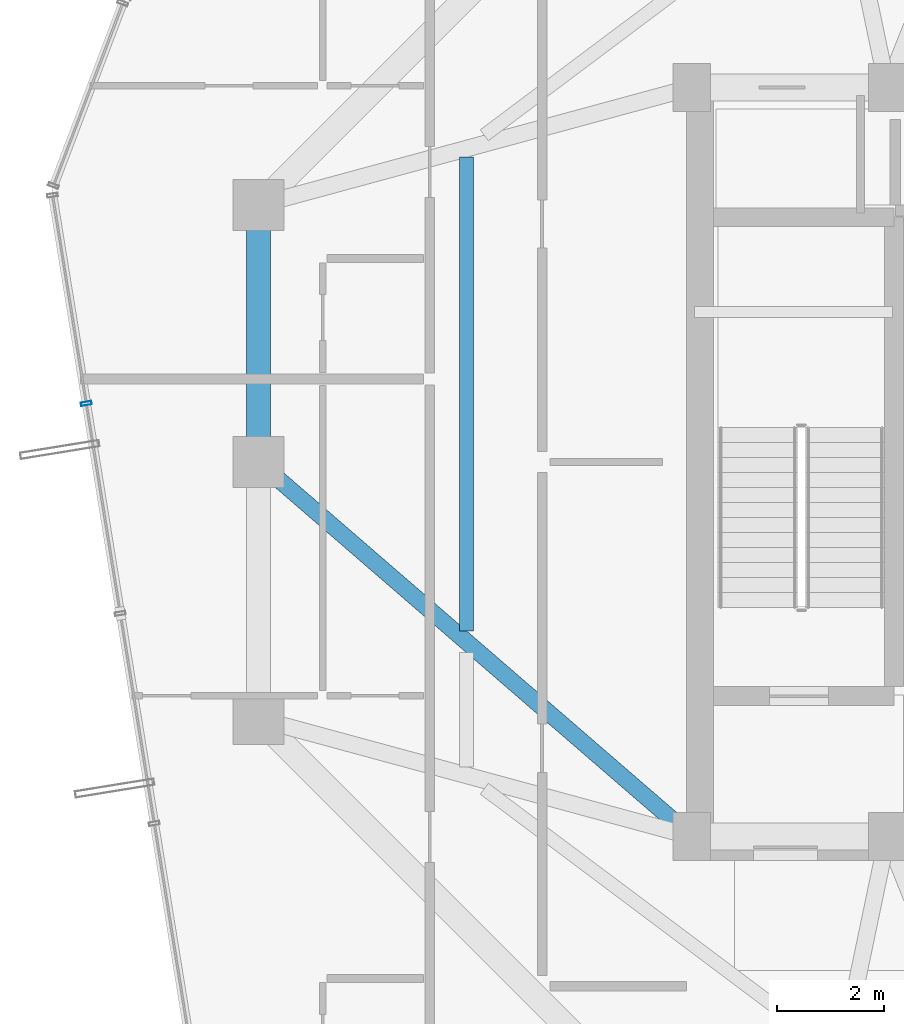
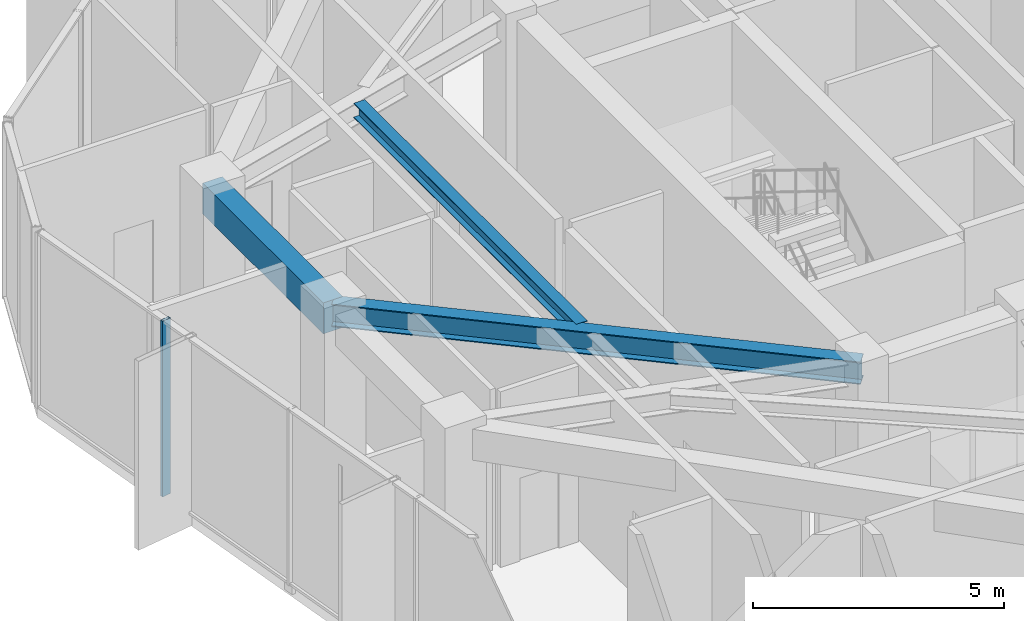
# One storey, part 8 of 22: 3 beams, 1 member, 1 element without a shape of its own.
"""IFC4 building model written with IfcOpenShell, lengths in metres."""

from ifc_helpers import new_model, si_unit, direction, frame, origin, origin_2d, place, context, subcontext, project, spatial, rectangle, hollow_rectangle, i_section, extrude, source, transform, mapped, material, layer, layer_set, material_profile, profile_set, type_object, element, aggregate, save


model = new_model("IFC4")

# Units and contexts
model_context = context("Model", 3, precision=1e-05, world=origin(), true_north=direction((0.0, 1.0)))
body_context = subcontext(model_context, "Body", "Model", "MODEL_VIEW")
ifc_project = project(units=[si_unit("LENGTHUNIT", "METRE"), si_unit("AREAUNIT", "SQUARE_METRE"), si_unit("VOLUMEUNIT", "CUBIC_METRE"), si_unit("PLANEANGLEUNIT", "RADIAN"), si_unit("MASSUNIT", "GRAM", prefix="KILO")], contexts=[model_context])

# Site, building, storey
site_placement = place(None, origin())
site = spatial("IfcSite", under=ifc_project, at=site_placement, CompositionType="ELEMENT")
building_placement = place(site_placement, origin())
building = spatial("IfcBuilding", under=site, at=building_placement, Name="Veraguas Prism Commons", CompositionType="ELEMENT")
storey_placement = place(building_placement, frame((0.0, 0.0, 174.35009765625)))
storey = spatial("IfcBuildingStorey", under=building, at=storey_placement, Name="L49", CompositionType="ELEMENT", Elevation=174.35009765625)

# Beams
ifc_material_1 = material(Name="Concrete C50/60", Category="concrete")
ifc_material_profile_1 = material_profile(ifc_material_1, rectangle(XDim=0.449951171875, YDim=0.75, at=origin_2d()), Name="RC450X750")
ifc_profile_set_1 = profile_set([ifc_material_profile_1], Name="Concrete C50/60")
beam_type_1 = type_object("IfcBeamType", Name="Perimeter Spandrel Upper RC 450x750", PredefinedType="SPANDREL", material=ifc_profile_set_1)
beam_1_placement = place(storey_placement, frame((9.10009765625, 28.800048828125, 3.889892578125), z_axis=(0.0, -1.0, 0.0), x_axis=(1.0, 0.0, 0.0)))
element("IfcBeam", 1, at=beam_1_placement, inside=storey, type_object=beam_type_1, Name="Perimeter Spandrel Beam L49-SP07", PredefinedType="SPANDREL", context=body_context, shape_type="SweptSolid", body=[
    extrude(rectangle(XDim=0.449951171875, YDim=0.75, at=origin_2d()), origin(), (0.0, 0.0, 1.0), 4.800048828125),
])
ifc_material_2 = material(Name="Steel ASTM A992 Grade 50", Category="steel")
ifc_material_profile_2 = material_profile(ifc_material_2, i_section(OverallWidth=0.25390625, OverallDepth=0.35302734375, WebThickness=0.009521484375, FlangeThickness=0.016357421875, at=origin_2d()), Name="W360X91")
ifc_profile_set_2 = profile_set([ifc_material_profile_2], Name="Steel ASTM A992 Grade 50")
beam_type_2 = type_object("IfcBeamType", Name="Upper Floor Joist W360x91", PredefinedType="JOIST", material=ifc_profile_set_2)
beam_2_placement = place(storey_placement, frame((12.988037109375, 29.697021484375, 4.08837890625), z_axis=(0.0, -1.0, 0.0), x_axis=(1.0, 0.0, 0.0)))
element("IfcBeam", 2, at=beam_2_placement, inside=storey, type_object=beam_type_2, Name="Composite Floor Joist L49-JS07", PredefinedType="JOIST", context=body_context, shape_type="SweptSolid", body=[
    extrude(i_section(OverallWidth=0.25390625, OverallDepth=0.35302734375, WebThickness=0.009521484375, FlangeThickness=0.016357421875, at=origin_2d()), origin(), (0.0, 0.0, 1.0), 8.85400390625),
])
ifc_material_profile_3 = material_profile(ifc_material_2, i_section(OverallWidth=0.31103515625, OverallDepth=0.5458984375, WebThickness=0.0146484375, FlangeThickness=0.023681640625, at=origin_2d()), Name="W530X165")
ifc_profile_set_3 = profile_set([ifc_material_profile_3], Name="Steel ASTM A992 Grade 50")
beam_type_3 = type_object("IfcBeamType", Name="Zone 3 Radial Girder W530x165", PredefinedType="BEAM", material=ifc_profile_set_3)
beam_3_placement = place(storey_placement, frame((9.10009765625, 24.0, 3.991943359375), z_axis=(0.756607086554, -0.653869800936, 0.0), x_axis=(0.653869800936, 0.756607086554, 0.0)))
element("IfcBeam", 3, at=beam_3_placement, inside=storey, type_object=beam_type_3, Name="Radial Floor Girder L49-RD08", PredefinedType="BEAM", context=body_context, shape_type="SweptSolid", body=[
    extrude(i_section(OverallWidth=0.31103515625, OverallDepth=0.5458984375, WebThickness=0.0146484375, FlangeThickness=0.023681640625, at=origin_2d()), origin(), (0.0, 0.0, 1.0), 10.70556640625),
])

# Curtain wall, member
ifc_material_3 = material(Name="Anodised aluminium EN AW-6063 T6", Category="aluminium")
ifc_layer = layer(ifc_material_3, 0.199951171875, Name="Sky Lobby and Pool Acoustic Curtain Wall", Category="aluminium")
ifc_layer_set = layer_set([ifc_layer], Name="Anodised aluminium EN AW-6063 T6")
curtain_wall_type = type_object("IfcCurtainWallType", Name="Sky Lobby and Pool Acoustic Curtain Wall", PredefinedType="NOTDEFINED", material=ifc_layer_set)
curtain_wall_placement = place(storey_placement, origin())
curtain_wall = element("IfcCurtainWall", 4, at=curtain_wall_placement, inside=storey, type_object=curtain_wall_type, Name="Tower Facade Curtain Wall L49-F3", PredefinedType="NOTDEFINED")
ifc_material_profile_4 = material_profile(ifc_material_3, hollow_rectangle(XDim=0.06494140625, YDim=0.199951171875, WallThickness=0.00390625, at=origin_2d()), Name="AL65X200X4")
ifc_profile_set_4 = profile_set([ifc_material_profile_4], Name="Anodised aluminium EN AW-6063 T6")
member_type = type_object("IfcMemberType", Name="Curtain Wall Mullion Heavy AL 65x200x4", PredefinedType="MULLION", material=ifc_profile_set_4)
shared_shape = source(origin(), body_context, "Body", "SweptSolid", [
    extrude(hollow_rectangle(XDim=0.06494140625, YDim=0.199951171875, WallThickness=0.00390625, at=origin_2d()), origin(), (0.0, 0.0, 1.0), 4.264892578125),
])
member_placement = place(storey_placement, frame((5.882080078125, 25.093017578125, 0.0), z_axis=(0.0, 0.0, 1.0), x_axis=(0.159874296177, -0.98713738123, 0.0)))
member = element("IfcMember", 5, at=member_placement, type_object=member_type, Name="CW-SKY Mullion 2", PredefinedType="MULLION", context=body_context, shape_type="MappedRepresentation", body=[
    mapped(shared_shape, transform((0.0, 0.0, 0.0), scale=1.0)),
])
aggregate(curtain_wall, [member])

save(model, "model.ifc")
